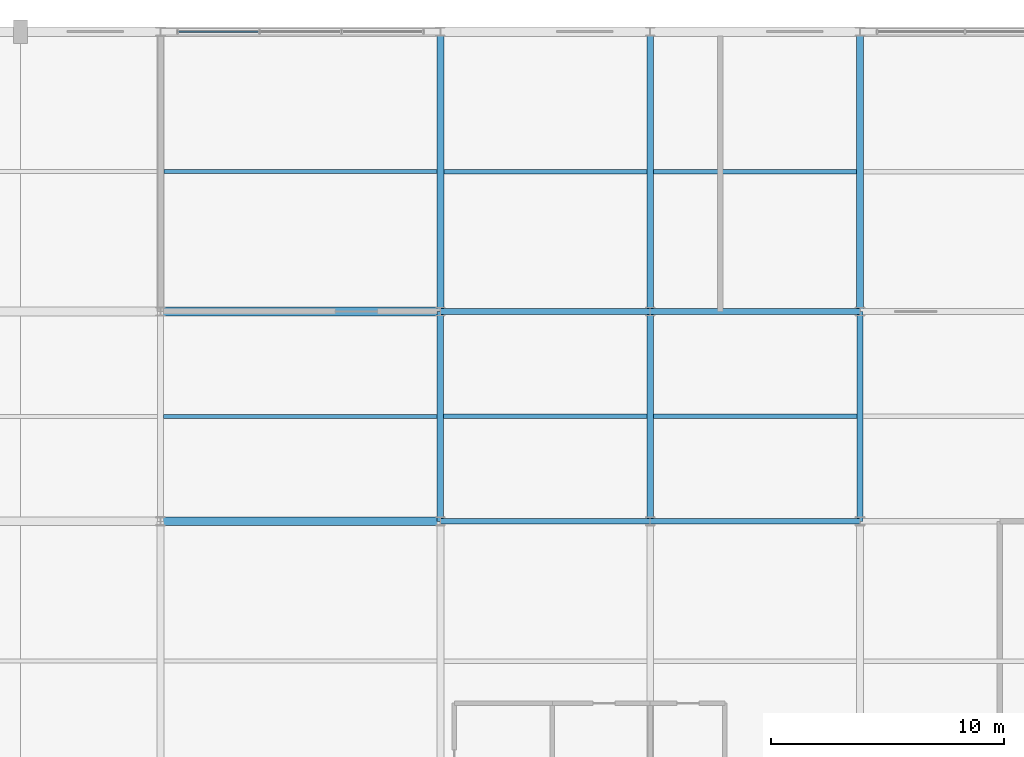
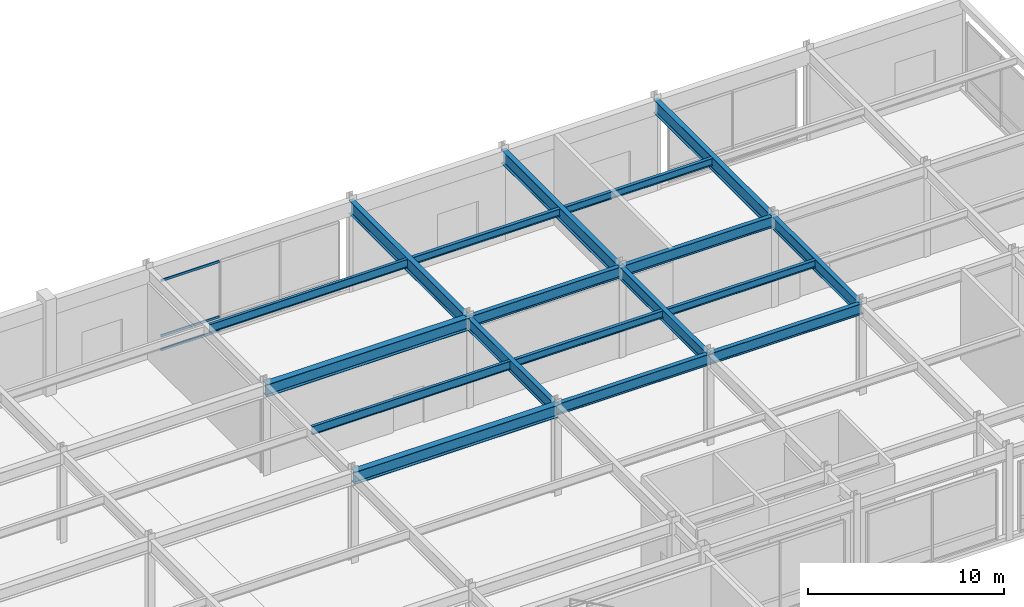
# One storey, part 76 of 108: 18 beams, 3 members, 1 element without a shape of its own.
"""IFC4 building model written with IfcOpenShell, lengths in metres."""

from ifc_helpers import new_model, si_unit, direction, frame, origin, origin_2d, place, context, subcontext, project, spatial, hollow_rectangle, i_section, extrude, material, material_profile, profile_set, type_object, element, aggregate, save


model = new_model("IFC4")

# Units and contexts
model_context = context("Model", 3, precision=1e-05, world=origin(), true_north=direction((0.0, 1.0)))
body_context = subcontext(model_context, "Body", "Model", "MODEL_VIEW")
ifc_project = project(units=[si_unit("LENGTHUNIT", "METRE"), si_unit("AREAUNIT", "SQUARE_METRE"), si_unit("VOLUMEUNIT", "CUBIC_METRE"), si_unit("PLANEANGLEUNIT", "RADIAN"), si_unit("MASSUNIT", "GRAM", prefix="KILO")], contexts=[model_context])

# Site, building, storey
site_placement = place(None, origin())
site = spatial("IfcSite", under=ifc_project, at=site_placement, CompositionType="ELEMENT")
building_placement = place(site_placement, origin())
building = spatial("IfcBuilding", under=site, at=building_placement, Name="Kaldorvane Square Convention Centre", CompositionType="ELEMENT")
storey_placement = place(building_placement, frame((0.0, 0.0, 12.0)))
storey = spatial("IfcBuildingStorey", under=building, at=storey_placement, Name="L02", CompositionType="ELEMENT", Elevation=12.0)

# Beams
ifc_material_1 = material(Name="Steel ASTM A992 Gr. 50", Category="steel")
ifc_material_profile_1 = material_profile(ifc_material_1, i_section(OverallWidth=0.25439453125, OverallDepth=0.6880950927734375, WebThickness=0.0131072998046875, FlangeThickness=0.0211029052734375, FilletRadius=0.01519775390625, at=origin_2d()), Name="W27X102")
ifc_profile_set_1 = profile_set([ifc_material_profile_1], Name="Steel ASTM A992 Gr. 50")
beam_type_1 = type_object("IfcBeamType", Name="BM-GR-W27X102", PredefinedType="BEAM", material=ifc_profile_set_1)
for number, where, z_axis, x_axis, name in (
    (1, (138.0, 96.0, 5.3018951416015625), (1.0, 0.0, 0.0), (0.0, 1.0, 0.0), "Primary Girder (L02)"),
    (2, (147.0, 96.0, 5.3018951416015625), (1.0, 0.0, 0.0), (0.0, 1.0, 0.0), "Primary Girder (L02)"),
    (3, (138.0, 105.0, 5.3018951416015625), (1.0, 0.0, 0.0), (0.0, 1.0, 0.0), "Primary Girder (L02)"),
    (4, (147.0, 105.0, 5.3018951416015625), (1.0, 0.0, 0.0), (0.0, 1.0, 0.0), "Primary Girder (L02)"),
):
    element("IfcBeam", number, at=place(storey_placement, frame(where, z_axis=z_axis, x_axis=x_axis)), inside=storey, type_object=beam_type_1, Name=name, PredefinedType="BEAM", context=body_context, shape_type="SweptSolid", body=[
        extrude(i_section(OverallWidth=0.25439453125, OverallDepth=0.6880950927734375, WebThickness=0.0131072998046875, FlangeThickness=0.0211029052734375, FilletRadius=0.01519775390625, at=origin_2d()), origin(), (0.0, 0.0, 1.0), 9.0),
    ])
ifc_material_profile_2 = material_profile(ifc_material_1, i_section(OverallWidth=0.2666015625, OverallDepth=0.762298583984375, WebThickness=0.014404296875, FlangeThickness=0.0216064453125, FilletRadius=0.0164947509765625, at=origin_2d()), Name="W30X116")
ifc_profile_set_2 = profile_set([ifc_material_profile_2], Name="Steel ASTM A992 Gr. 50")
beam_type_2 = type_object("IfcBeamType", Name="BM-GR-W30X116", PredefinedType="BEAM", material=ifc_profile_set_2)
for number, where, z_axis, x_axis, name in (
    (5, (138.0, 96.0, 5.264801025390625), (0.0, 1.0, 0.0), (-1.0, 0.0, 0.0), "Transverse Girder (L02)"),
    (6, (147.0, 96.0, 5.264801025390625), (0.0, 1.0, 0.0), (-1.0, 0.0, 0.0), "Transverse Girder (L02)"),
    (7, (156.0, 96.0, 5.264801025390625), (0.0, 1.0, 0.0), (-1.0, 0.0, 0.0), "Transverse Girder (L02)"),
):
    element("IfcBeam", number, at=place(storey_placement, frame(where, z_axis=z_axis, x_axis=x_axis)), inside=storey, type_object=beam_type_2, Name=name, PredefinedType="BEAM", context=body_context, shape_type="SweptSolid", body=[
        extrude(i_section(OverallWidth=0.2666015625, OverallDepth=0.762298583984375, WebThickness=0.014404296875, FlangeThickness=0.0216064453125, FilletRadius=0.0164947509765625, at=origin_2d()), origin(), (0.0, 0.0, 1.0), 9.0),
    ])
ifc_material_profile_3 = material_profile(ifc_material_1, i_section(OverallWidth=0.380706787109375, OverallDepth=0.773193359375, WebThickness=0.0166015625, FlangeThickness=0.027099609375, FilletRadius=0.0164947509765625, at=origin_2d()), Name="W30X173")
ifc_profile_set_3 = profile_set([ifc_material_profile_3], Name="Steel ASTM A992 Gr. 50")
beam_type_3 = type_object("IfcBeamType", Name="BM-GR-W30X173", PredefinedType="BEAM", material=ifc_profile_set_3)
for number, where, z_axis, x_axis, name in (
    (8, (126.0, 96.0, 5.2593994140625), (1.0, 0.0, 0.0), (0.0, 1.0, 0.0), "Primary Girder (L02)"),
    (9, (126.0, 105.0, 5.2593994140625), (1.0, 0.0, 0.0), (0.0, 1.0, 0.0), "Primary Girder (L02)"),
):
    element("IfcBeam", number, at=place(storey_placement, frame(where, z_axis=z_axis, x_axis=x_axis)), inside=storey, type_object=beam_type_3, Name=name, PredefinedType="BEAM", context=body_context, shape_type="SweptSolid", body=[
        extrude(i_section(OverallWidth=0.380706787109375, OverallDepth=0.773193359375, WebThickness=0.0166015625, FlangeThickness=0.027099609375, FilletRadius=0.0164947509765625, at=origin_2d()), origin(), (0.0, 0.0, 1.0), 12.0),
    ])
ifc_material_profile_4 = material_profile(ifc_material_1, i_section(OverallWidth=0.292999267578125, OverallDepth=0.845794677734375, WebThickness=0.0153961181640625, FlangeThickness=0.0243988037109375, FilletRadius=0.0178070068359375, at=origin_2d()), Name="W33X141")
ifc_profile_set_4 = profile_set([ifc_material_profile_4], Name="Steel ASTM A992 Gr. 50")
beam_type_4 = type_object("IfcBeamType", Name="BM-GR-W33X141", PredefinedType="BEAM", material=ifc_profile_set_4)
for number, where, z_axis, x_axis, name in (
    (10, (138.0, 105.0, 5.2230987548828125), (0.0, 1.0, 0.0), (-1.0, 0.0, 0.0), "Transverse Girder (L02)"),
    (11, (147.0, 105.0, 5.2230987548828125), (0.0, 1.0, 0.0), (-1.0, 0.0, 0.0), "Transverse Girder (L02)"),
    (12, (156.0, 105.0, 5.2230987548828125), (0.0, 1.0, 0.0), (-1.0, 0.0, 0.0), "Transverse Girder (L02)"),
):
    element("IfcBeam", number, at=place(storey_placement, frame(where, z_axis=z_axis, x_axis=x_axis)), inside=storey, type_object=beam_type_4, Name=name, PredefinedType="BEAM", context=body_context, shape_type="SweptSolid", body=[
        extrude(i_section(OverallWidth=0.292999267578125, OverallDepth=0.845794677734375, WebThickness=0.0153961181640625, FlangeThickness=0.0243988037109375, FilletRadius=0.0178070068359375, at=origin_2d()), origin(), (0.0, 0.0, 1.0), 12.0),
    ])
ifc_material_profile_5 = material_profile(ifc_material_1, i_section(OverallWidth=0.1912994384765625, OverallDepth=0.4600067138671875, WebThickness=0.0099029541015625, FlangeThickness=0.0160064697265625, FilletRadius=0.01019287109375, at=origin_2d()), Name="W18X55")
ifc_profile_set_5 = profile_set([ifc_material_profile_5], Name="Steel ASTM A992 Gr. 50")
beam_type_5 = type_object("IfcBeamType", Name="BM-JS-W18X55", PredefinedType="JOIST", material=ifc_profile_set_5)
for number, where, z_axis, x_axis, name in (
    (13, (138.13330078125, 100.5, 5.4160003662109375), (1.0, 0.0, 0.0), (0.0, 1.0, 0.0), "Secondary Floor Joist (L02)"),
    (14, (147.13330078125, 100.5, 5.4160003662109375), (1.0, 0.0, 0.0), (0.0, 1.0, 0.0), "Secondary Floor Joist (L02)"),
):
    element("IfcBeam", number, at=place(storey_placement, frame(where, z_axis=z_axis, x_axis=x_axis)), inside=storey, type_object=beam_type_5, Name=name, PredefinedType="JOIST", context=body_context, shape_type="SweptSolid", body=[
        extrude(i_section(OverallWidth=0.1912994384765625, OverallDepth=0.4600067138671875, WebThickness=0.0099029541015625, FlangeThickness=0.0160064697265625, FilletRadius=0.01019287109375, at=origin_2d()), origin(), (0.0, 0.0, 1.0), 8.7333984375),
    ])
for number, where, z_axis, x_axis, name in (
    (15, (138.14649963378906, 111.0, 5.4160003662109375), (1.0, 0.0, 0.0), (0.0, 1.0, 0.0), "Secondary Floor Joist (L02)"),
    (16, (147.14649963378906, 111.0, 5.4160003662109375), (1.0, 0.0, 0.0), (0.0, 1.0, 0.0), "Secondary Floor Joist (L02)"),
):
    element("IfcBeam", number, at=place(storey_placement, frame(where, z_axis=z_axis, x_axis=x_axis)), inside=storey, type_object=beam_type_5, Name=name, PredefinedType="JOIST", context=body_context, shape_type="SweptSolid", body=[
        extrude(i_section(OverallWidth=0.1912994384765625, OverallDepth=0.4600067138671875, WebThickness=0.0099029541015625, FlangeThickness=0.0160064697265625, FilletRadius=0.01019287109375, at=origin_2d()), origin(), (0.0, 0.0, 1.0), 8.707000732421875),
    ])
ifc_material_profile_6 = material_profile(ifc_material_1, i_section(OverallWidth=0.1658935546875, OverallDepth=0.5290985107421875, WebThickness=0.00970458984375, FlangeThickness=0.0135955810546875, FilletRadius=0.0126953125, at=origin_2d()), Name="W21X50")
ifc_profile_set_6 = profile_set([ifc_material_profile_6], Name="Steel ASTM A992 Gr. 50")
beam_type_6 = type_object("IfcBeamType", Name="BM-JS-W21X50", PredefinedType="JOIST", material=ifc_profile_set_6)
beam_1_placement = place(storey_placement, frame((126.13330078125, 100.5, 5.3813934326171875), z_axis=(1.0, 0.0, 0.0), x_axis=(0.0, 1.0, 0.0)))
element("IfcBeam", 17, at=beam_1_placement, inside=storey, type_object=beam_type_6, Name="Secondary Floor Joist (L02)", PredefinedType="JOIST", context=body_context, shape_type="SweptSolid", body=[
    extrude(i_section(OverallWidth=0.1658935546875, OverallDepth=0.5290985107421875, WebThickness=0.00970458984375, FlangeThickness=0.0135955810546875, FilletRadius=0.0126953125, at=origin_2d()), origin(), (0.0, 0.0, 1.0), 11.7333984375),
])
beam_2_placement = place(storey_placement, frame((126.14649963378906, 111.0, 5.3813934326171875), z_axis=(1.0, 0.0, 0.0), x_axis=(0.0, 1.0, 0.0)))
element("IfcBeam", 18, at=beam_2_placement, inside=storey, type_object=beam_type_6, Name="Secondary Floor Joist (L02)", PredefinedType="JOIST", context=body_context, shape_type="SweptSolid", body=[
    extrude(i_section(OverallWidth=0.1658935546875, OverallDepth=0.5290985107421875, WebThickness=0.00970458984375, FlangeThickness=0.0135955810546875, FilletRadius=0.0126953125, at=origin_2d()), origin(), (0.0, 0.0, 1.0), 11.707000732421875),
])

# Curtain wall, members
ifc_material_2 = material(Name="Anodized Aluminum and Low-E Insulated Glazing", Category="aluminium")
curtain_wall_type = type_object("IfcCurtainWallType", Name="CW-UNI-P60-09", PredefinedType="USERDEFINED", material=ifc_material_2)
curtain_wall_placement = place(storey_placement, origin())
curtain_wall = element("IfcCurtainWall", 19, at=curtain_wall_placement, inside=storey, type_object=curtain_wall_type, Name="Curtain Wall CW-02 (L02)", ObjectType="UNITISED GLAZING", PredefinedType="USERDEFINED")
ifc_material_profile_7 = material_profile(ifc_material_2, hollow_rectangle(XDim=0.05999755859375, YDim=0.149993896484375, WallThickness=0.003204345703125, at=origin_2d()), Name="CWT-150X60")
ifc_profile_set_7 = profile_set([ifc_material_profile_7], Name="Anodized Aluminum and Low-E Insulated Glazing")
member_type = type_object("IfcMemberType", Name="CW-TRN-150", PredefinedType="USERDEFINED", material=ifc_profile_set_7)
member_1_placement = place(storey_placement, frame((130.20083618164062, 117.0, 0.17999267578125), z_axis=(-1.0, 0.0, 0.0), x_axis=(0.0, -1.0, 0.0)))
member_1 = element("IfcMember", 20, at=member_1_placement, type_object=member_type, Name="CW-02 transom 3.1", ObjectType="TRANSOM", PredefinedType="USERDEFINED", context=body_context, shape_type="SweptSolid", body=[
    extrude(hollow_rectangle(XDim=0.05999755859375, YDim=0.149993896484375, WallThickness=0.003204345703125, at=origin_2d()), origin(), (0.0, 0.0, 1.0), 3.4358367919921875),
])
member_2_placement = place(storey_placement, frame((130.20083618164062, 117.0, 1.0500030517578125), z_axis=(-1.0, 0.0, 0.0), x_axis=(0.0, -1.0, 0.0)))
member_2 = element("IfcMember", 21, at=member_2_placement, type_object=member_type, Name="CW-02 transom 3.2", ObjectType="TRANSOM", PredefinedType="USERDEFINED", context=body_context, shape_type="SweptSolid", body=[
    extrude(hollow_rectangle(XDim=0.05999755859375, YDim=0.149993896484375, WallThickness=0.003204345703125, at=origin_2d()), origin(), (0.0, 0.0, 1.0), 3.4358367919921875),
])
member_3_placement = place(storey_placement, frame((130.20083618164062, 117.0, 4.5), z_axis=(-1.0, 0.0, 0.0), x_axis=(0.0, -1.0, 0.0)))
member_3 = element("IfcMember", 22, at=member_3_placement, type_object=member_type, Name="CW-02 transom 3.3", ObjectType="TRANSOM", PredefinedType="USERDEFINED", context=body_context, shape_type="SweptSolid", body=[
    extrude(hollow_rectangle(XDim=0.05999755859375, YDim=0.149993896484375, WallThickness=0.003204345703125, at=origin_2d()), origin(), (0.0, 0.0, 1.0), 3.4358367919921875),
])
aggregate(curtain_wall, [member_1, member_2, member_3])

save(model, "model.ifc")
